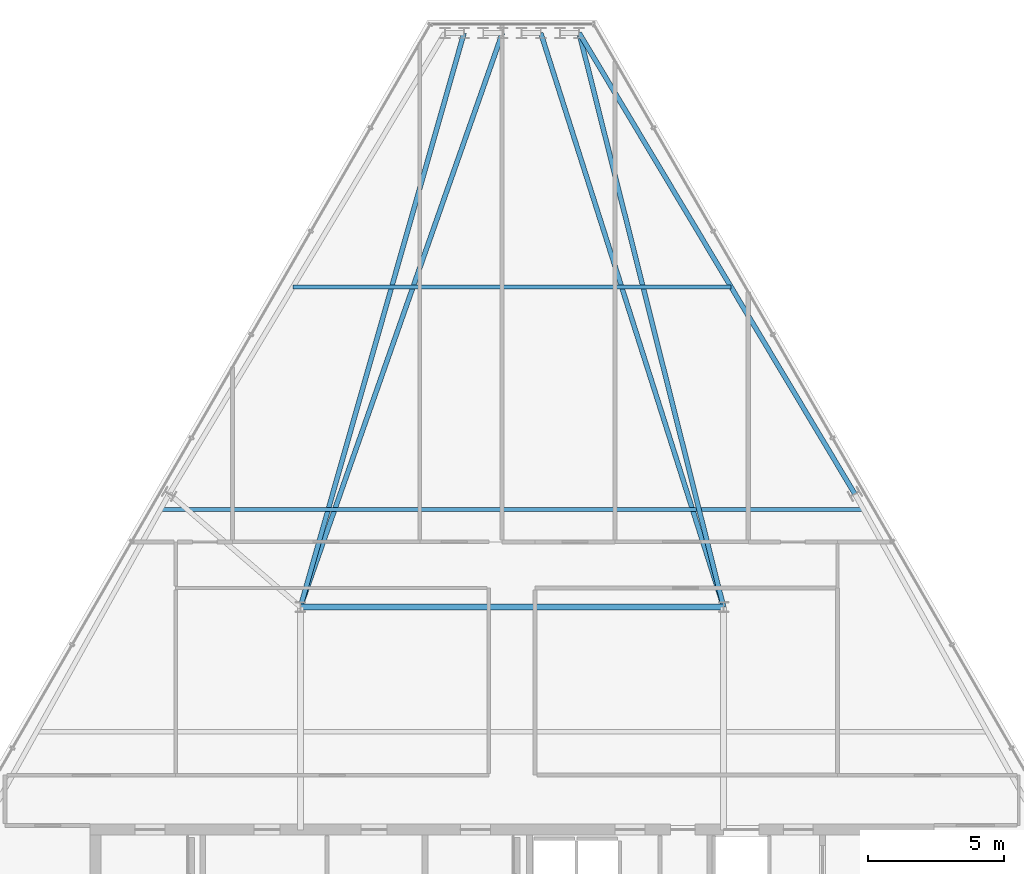
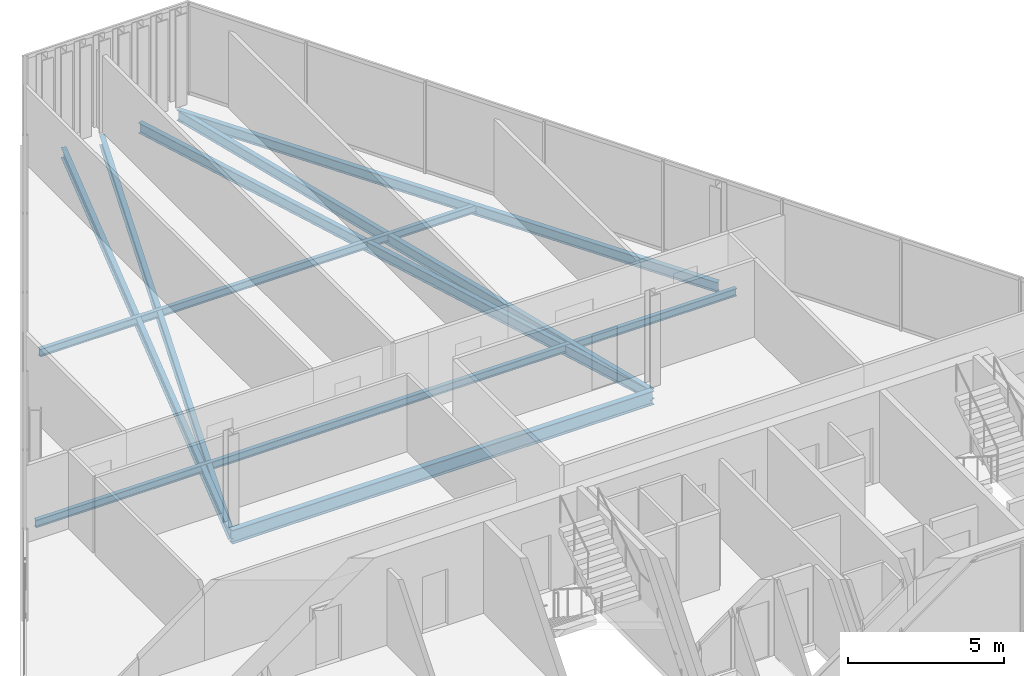
# One storey, part 16 of 32: 8 beams.
"""IFC4 building model written with IfcOpenShell, lengths in metres."""

from ifc_helpers import new_model, si_unit, direction, frame, origin, origin_2d, place, context, subcontext, project, spatial, i_section, extrude, material, material_profile, profile_set, type_object, element, save


model = new_model("IFC4")

# Units and contexts
model_context = context("Model", 3, precision=1e-05, world=origin(), true_north=direction((0.0, 1.0)))
body_context = subcontext(model_context, "Body", "Model", "MODEL_VIEW")
ifc_project = project(units=[si_unit("LENGTHUNIT", "METRE"), si_unit("AREAUNIT", "SQUARE_METRE"), si_unit("VOLUMEUNIT", "CUBIC_METRE"), si_unit("PLANEANGLEUNIT", "RADIAN"), si_unit("MASSUNIT", "GRAM", prefix="KILO")], contexts=[model_context])

# Site, building, storey
site_placement = place(None, origin())
site = spatial("IfcSite", under=ifc_project, at=site_placement, CompositionType="ELEMENT")
building_placement = place(site_placement, origin())
building = spatial("IfcBuilding", under=site, at=building_placement, Name="Ndaravel Arena Tower", CompositionType="ELEMENT")
storey_placement = place(building_placement, frame((0.0, 0.0, 256.0)))
storey = spatial("IfcBuildingStorey", under=building, at=storey_placement, Name="L62", CompositionType="ELEMENT", Elevation=256.0)

# Beams
ifc_material_1 = material(Name="Steel S355", Category="steel")
ifc_material_profile_1 = material_profile(ifc_material_1, i_section(OverallWidth=0.1787109375, OverallDepth=0.409423828125, WebThickness=0.0087890625, FlangeThickness=0.014404296875, FilletRadius=0.01025390625, at=origin_2d()), Name="UB 406x178x67")
ifc_profile_set_1 = profile_set([ifc_material_profile_1], Name="Steel S355")
beam_type_1 = type_object("IfcBeamType", Name="BM-GIRD-UB406", PredefinedType="BEAM", material=ifc_profile_set_1)
beam_1_placement = place(storey_placement, frame((44.475341796875, 44.359619140625, -0.4248046875), z_axis=(0.244036001277, -0.969766172889, 0.0), x_axis=(0.969766172889, 0.244036001277, 0.0)))
element("IfcBeam", 1, at=beam_1_placement, inside=storey, type_object=beam_type_1, Name="L62 Radial Floor Girder FG-11", PredefinedType="BEAM", context=body_context, shape_type="SweptSolid", body=[
    extrude(i_section(OverallWidth=0.1787109375, OverallDepth=0.409423828125, WebThickness=0.0087890625, FlangeThickness=0.014404296875, FilletRadius=0.01025390625, at=origin_2d()), origin(), (0.0, 0.0, 1.0), 21.8193359375),
])
beam_2_placement = place(storey_placement, frame((43.060791015625, 44.359619140625, -0.4248046875), z_axis=(0.303475006068, -0.952839399213, 0.0), x_axis=(0.952839399213, 0.303475006068, 0.0)))
element("IfcBeam", 2, at=beam_2_placement, inside=storey, type_object=beam_type_1, Name="L62 Radial Floor Girder FG-13", PredefinedType="BEAM", context=body_context, shape_type="SweptSolid", body=[
    extrude(i_section(OverallWidth=0.1787109375, OverallDepth=0.409423828125, WebThickness=0.0087890625, FlangeThickness=0.014404296875, FilletRadius=0.01025390625, at=origin_2d()), origin(), (0.0, 0.0, 1.0), 22.20703125),
])
beam_3_placement = place(storey_placement, frame((41.646484375, 44.359619140625, -0.4248046875), z_axis=(-0.33196431946, -0.943291943465, 0.0), x_axis=(0.943291943465, -0.33196431946, 0.0)))
element("IfcBeam", 3, at=beam_3_placement, inside=storey, type_object=beam_type_1, Name="L62 Radial Floor Girder FG-15", PredefinedType="BEAM", context=body_context, shape_type="SweptSolid", body=[
    extrude(i_section(OverallWidth=0.1787109375, OverallDepth=0.409423828125, WebThickness=0.0087890625, FlangeThickness=0.014404296875, FilletRadius=0.01025390625, at=origin_2d()), origin(), (0.0, 0.0, 1.0), 22.431640625),
])
beam_4_placement = place(storey_placement, frame((40.23193359375, 44.359619140625, -0.4248046875), z_axis=(-0.274148066609, -0.961687494758, 0.0), x_axis=(0.961687494758, -0.274148066609, 0.0)))
element("IfcBeam", 4, at=beam_4_placement, inside=storey, type_object=beam_type_1, Name="L62 Radial Floor Girder FG-17", PredefinedType="BEAM", context=body_context, shape_type="SweptSolid", body=[
    extrude(i_section(OverallWidth=0.1787109375, OverallDepth=0.409423828125, WebThickness=0.0087890625, FlangeThickness=0.014404296875, FilletRadius=0.01025390625, at=origin_2d()), origin(), (0.0, 0.0, 1.0), 22.002685546875),
])
ifc_material_2 = material(Name="Steel S355", Category="steel")
ifc_material_profile_2 = material_profile(ifc_material_2, i_section(OverallWidth=0.210693359375, OverallDepth=0.53955078125, WebThickness=0.01171875, FlangeThickness=0.018798828125, FilletRadius=0.0126953125, at=origin_2d()), Name="UB 533x210x109")
ifc_profile_set_2 = profile_set([ifc_material_profile_2], Name="Steel S355")
beam_type_2 = type_object("IfcBeamType", Name="BM-GIRD-UB533", PredefinedType="BEAM", material=ifc_profile_set_2)
beam_5_placement = place(storey_placement, frame((34.199951171875, 23.199951171875, -0.48974609375), z_axis=(1.0, 0.0, 0.0), x_axis=(0.0, 1.0, 0.0)))
element("IfcBeam", 5, at=beam_5_placement, inside=storey, type_object=beam_type_2, Name="L62 Spine Link Girder SLG-03", PredefinedType="BEAM", context=body_context, shape_type="SweptSolid", body=[
    extrude(i_section(OverallWidth=0.210693359375, OverallDepth=0.53955078125, WebThickness=0.01171875, FlangeThickness=0.018798828125, FilletRadius=0.0126953125, at=origin_2d()), origin(), (0.0, 0.0, 1.0), 15.60009765625),
])
ifc_material_3 = material(Name="Steel S355", Category="steel")
ifc_material_profile_3 = material_profile(ifc_material_3, i_section(OverallWidth=0.14990234375, OverallDepth=0.300048828125, WebThickness=0.007080078125, FlangeThickness=0.0107421875, FilletRadius=0.014892578125, at=origin_2d()), Name="IPE 300")
ifc_profile_set_3 = profile_set([ifc_material_profile_3], Name="Steel S355")
beam_type_3 = type_object("IfcBeamType", Name="BM-JOIST-IPE300", PredefinedType="JOIST", material=ifc_profile_set_3)
beam_6_placement = place(storey_placement, frame((29.044677734375, 26.800048828125, -0.3701171875), z_axis=(1.0, 0.0, 0.0), x_axis=(0.0, 1.0, 0.0)))
element("IfcBeam", 6, at=beam_6_placement, inside=storey, type_object=beam_type_3, Name="L62 Composite Floor Joist FJ-02", PredefinedType="JOIST", context=body_context, shape_type="SweptSolid", body=[
    extrude(i_section(OverallWidth=0.14990234375, OverallDepth=0.300048828125, WebThickness=0.007080078125, FlangeThickness=0.0107421875, FilletRadius=0.014892578125, at=origin_2d()), origin(), (0.0, 0.0, 1.0), 25.91064453125),
])
beam_7_placement = place(storey_placement, frame((33.926025390625, 35.0, -0.3701171875), z_axis=(1.0, 0.0, 0.0), x_axis=(0.0, 1.0, 0.0)))
element("IfcBeam", 7, at=beam_7_placement, inside=storey, type_object=beam_type_3, Name="L62 Composite Floor Joist FJ-03", PredefinedType="JOIST", context=body_context, shape_type="SweptSolid", body=[
    extrude(i_section(OverallWidth=0.14990234375, OverallDepth=0.300048828125, WebThickness=0.007080078125, FlangeThickness=0.0107421875, FilletRadius=0.014892578125, at=origin_2d()), origin(), (0.0, 0.0, 1.0), 16.14794921875),
])
ifc_material_4 = material(Name="Steel S355", Category="steel")
ifc_material_profile_4 = material_profile(ifc_material_4, i_section(OverallWidth=0.179931640625, OverallDepth=0.39990234375, WebThickness=0.008544921875, FlangeThickness=0.013427734375, FilletRadius=0.02099609375, at=origin_2d()), Name="IPE 400")
ifc_profile_set_4 = profile_set([ifc_material_profile_4], Name="Steel S355")
beam_type_4 = type_object("IfcBeamType", Name="BM-SPAN-IPE400", PredefinedType="SPANDREL", material=ifc_profile_set_4)
beam_8_placement = place(storey_placement, frame((54.63818359375, 27.36962890625, -0.419921875), z_axis=(-0.513338268599, 0.858186356214, 0.0), x_axis=(-0.858186356214, -0.513338268599, 0.0)))
element("IfcBeam", 8, at=beam_8_placement, inside=storey, type_object=beam_type_4, Name="L62 Perimeter Spandrel Beam SP-10", PredefinedType="SPANDREL", context=body_context, shape_type="SweptSolid", body=[
    extrude(i_section(OverallWidth=0.179931640625, OverallDepth=0.39990234375, WebThickness=0.008544921875, FlangeThickness=0.013427734375, FilletRadius=0.02099609375, at=origin_2d()), origin(), (0.0, 0.0, 1.0), 19.797607421875),
])

save(model, "model.ifc")
